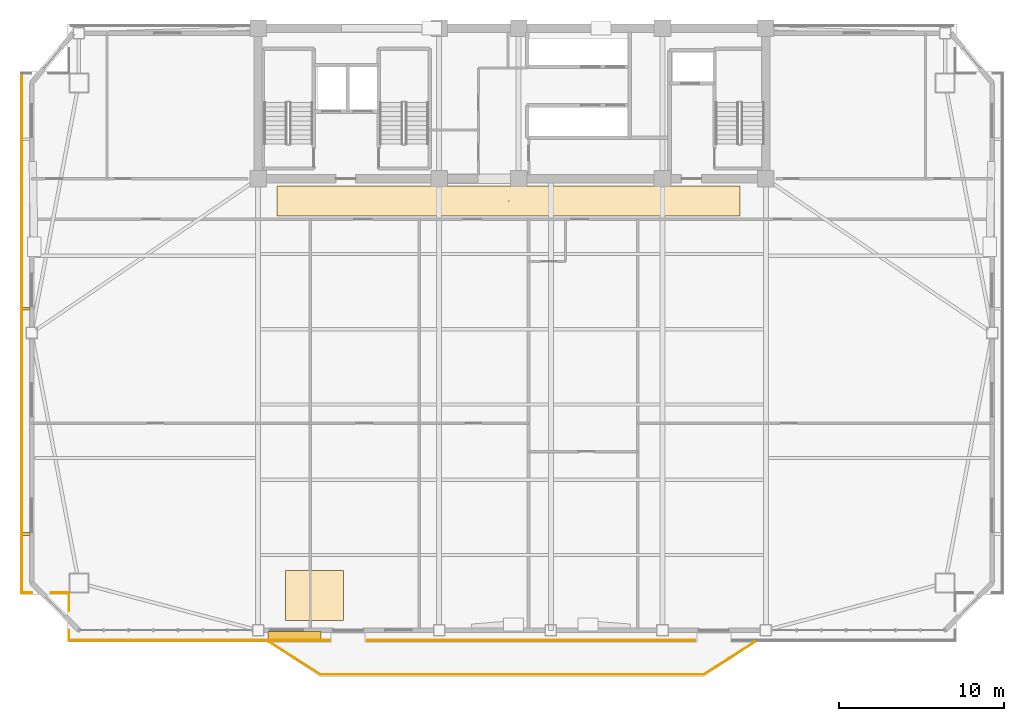
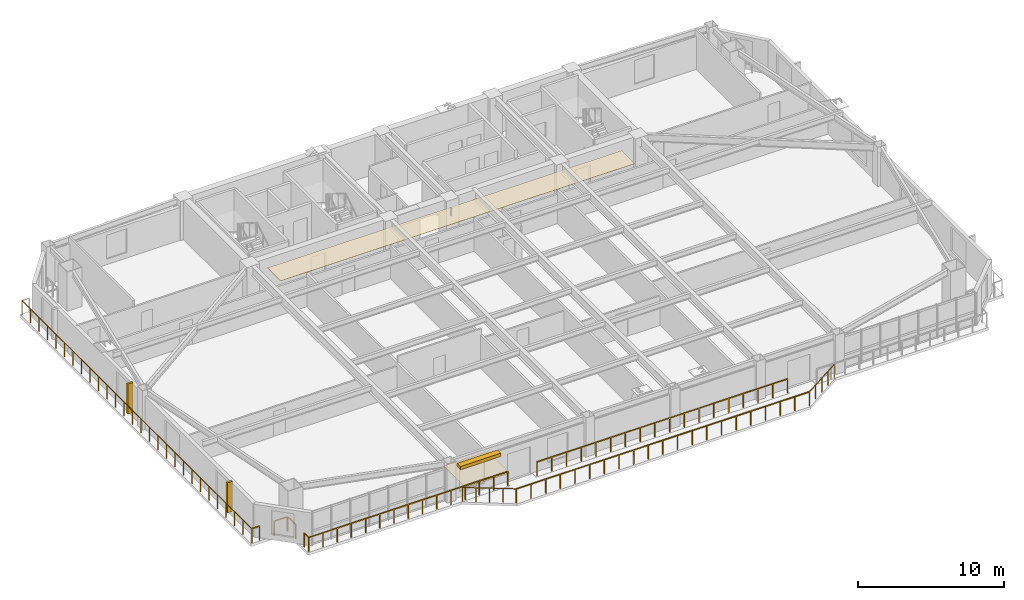
# One storey, part 12 of 15: 10 railings, 3 shading devices, 2 coverings.
"""IFC4 building model written with IfcOpenShell, lengths in metres."""

from ifc_helpers import new_model, si_unit, direction, frame, origin, origin_2d, place, context, subcontext, project, spatial, polyline, rectangle, outline, extrude, source, transform, mapped, material, layer, layer_set, type_object, element, save


model = new_model("IFC4")

# Units and contexts
model_context = context("Model", 3, precision=1e-05, world=origin(), true_north=direction((0.0, 1.0)))
body_context = subcontext(model_context, "Body", "Model", "MODEL_VIEW")
ifc_project = project(units=[si_unit("LENGTHUNIT", "METRE"), si_unit("AREAUNIT", "SQUARE_METRE"), si_unit("VOLUMEUNIT", "CUBIC_METRE"), si_unit("PLANEANGLEUNIT", "RADIAN"), si_unit("MASSUNIT", "GRAM", prefix="KILO")], contexts=[model_context])

# Site, building, storey
site_placement = place(None, origin())
site = spatial("IfcSite", under=ifc_project, at=site_placement, CompositionType="ELEMENT")
building_placement = place(site_placement, origin())
building = spatial("IfcBuilding", under=site, at=building_placement, Name="Giltprow Tower", CompositionType="ELEMENT")
storey_placement = place(building_placement, frame((0.0, 0.0, 184.199951171875)))
storey = spatial("IfcBuildingStorey", under=building, at=storey_placement, Name="L46", CompositionType="ELEMENT", Elevation=184.199951171875)

# Coverings
ifc_material_1 = material(Name="Painted gypsum board", Category="gypsum")
ifc_layer_1 = layer(ifc_material_1, 0.030029296875, Name="Painted gypsum board")
ifc_layer_set_1 = layer_set([ifc_layer_1], Name="Painted gypsum board")
covering_type_1 = type_object("IfcCoveringType", Name="COV-CLG-GYPSUM", PredefinedType="CEILING", material=ifc_layer_set_1)
covering_1_placement = place(storey_placement, frame((0.0, 0.0, 2.6201171875)))
element("IfcCovering", 1, at=covering_1_placement, inside=storey, type_object=covering_type_1, Name="L46 Hotel Corridor Gypsum Ceiling", PredefinedType="CEILING", context=body_context, shape_type="SweptSolid", body=[
    extrude(outline(polyline([(21.0, 35.199951171875), (49.0, 35.199951171875), (49.0, 37.0), (21.0, 37.0), (21.0, 35.199951171875)])), origin(), (0.0, 0.0, 1.0), 0.030029296875),
])
ifc_material_2 = material(Name="Engineered oak", Category="wood")
ifc_layer_2 = layer(ifc_material_2, 0.02490234375, Name="Engineered oak")
ifc_layer_set_2 = layer_set([ifc_layer_2], Name="Engineered oak")
covering_type_2 = type_object("IfcCoveringType", Name="COV-FLR-TIMBER", PredefinedType="FLOORING", material=ifc_layer_set_2)
covering_2_placement = place(storey_placement, origin())
element("IfcCovering", 2, at=covering_2_placement, inside=storey, type_object=covering_type_2, Name="L46 Engineered Oak Guestroom Flooring", PredefinedType="FLOORING", context=body_context, shape_type="SweptSolid", body=[
    extrude(outline(polyline([(21.5, 10.75390625), (25.0, 10.75390625), (25.0, 13.75390625), (21.5, 13.75390625), (21.5, 10.75390625)])), origin(), (0.0, 0.0, 1.0), 0.025146484375),
])

# Railings
ifc_material_3 = material(Name="Anodized bronze", Category="metal")
railing_type = type_object("IfcRailingType", Name="RAIL-BALC-GUARD-1200", PredefinedType="BALUSTRADE", material=ifc_material_3)
railing_1_placement = place(storey_placement, frame((20.52001953125, 9.4541015625, 0.0)))
element("IfcRailing", 3, at=railing_1_placement, inside=storey, type_object=railing_type, Name="L46 Waterfront Balcony Balustrade Seg 1", PredefinedType="BALUSTRADE", context=body_context, shape_type="SweptSolid", body=[
    extrude(rectangle(XDim=0.048095703125, YDim=0.048095703125, at=origin_2d()), frame((0.0, 0.0, 1.17578125), z_axis=(0.84277487735, -0.538266203757, 0.0), x_axis=(0.538266203757, 0.84277487735, 0.0)), (0.0, 0.0, 1.0), 3.678466796875),
    extrude(rectangle(XDim=0.0419921875, YDim=0.0419921875, at=origin_2d()), origin(), (0.0, 0.0, 1.0), 1.15185546875),
    extrude(rectangle(XDim=0.0419921875, YDim=0.0419921875, at=origin_2d()), frame((0.77490234375, -0.4951171875, 0.0)), (0.0, 0.0, 1.0), 1.15185546875),
    extrude(rectangle(XDim=0.0419921875, YDim=0.0419921875, at=origin_2d()), frame((1.550048828125, -0.989990234375, 0.0)), (0.0, 0.0, 1.0), 1.15185546875),
    extrude(rectangle(XDim=0.0419921875, YDim=0.0419921875, at=origin_2d()), frame((2.3251953125, -1.48486328125, 0.0)), (0.0, 0.0, 1.0), 1.15185546875),
    extrude(rectangle(XDim=0.0419921875, YDim=0.0419921875, at=origin_2d()), frame((3.10009765625, -1.97998046875, 0.0)), (0.0, 0.0, 1.0), 1.15185546875),
])
railing_2_placement = place(storey_placement, frame((23.6201171875, 7.47412109375, 0.0)))
element("IfcRailing", 4, at=railing_2_placement, inside=storey, type_object=railing_type, Name="L46 Waterfront Balcony Balustrade Seg 2", PredefinedType="BALUSTRADE", context=body_context, shape_type="SweptSolid", body=[
    extrude(rectangle(XDim=0.048095703125, YDim=0.048095703125, at=origin_2d()), frame((0.0, 0.0, 1.17578125), z_axis=(1.0, 0.0, 0.0), x_axis=(0.0, 1.0, 0.0)), (0.0, 0.0, 1.0), 23.159912109375),
    extrude(rectangle(XDim=0.0419921875, YDim=0.0419921875, at=origin_2d()), origin(), (0.0, 0.0, 1.0), 1.15185546875),
    extrude(rectangle(XDim=0.0419921875, YDim=0.0419921875, at=origin_2d()), frame((1.157958984375, 0.0, 0.0)), (0.0, 0.0, 1.0), 1.15185546875),
    extrude(rectangle(XDim=0.0419921875, YDim=0.0419921875, at=origin_2d()), frame((2.31591796875, 0.0, 0.0)), (0.0, 0.0, 1.0), 1.15185546875),
    extrude(rectangle(XDim=0.0419921875, YDim=0.0419921875, at=origin_2d()), frame((3.473876953125, 0.0, 0.0)), (0.0, 0.0, 1.0), 1.15185546875),
    extrude(rectangle(XDim=0.0419921875, YDim=0.0419921875, at=origin_2d()), frame((4.632080078125, 0.0, 0.0)), (0.0, 0.0, 1.0), 1.15185546875),
    extrude(rectangle(XDim=0.0419921875, YDim=0.0419921875, at=origin_2d()), frame((5.7900390625, 0.0, 0.0)), (0.0, 0.0, 1.0), 1.15185546875),
    extrude(rectangle(XDim=0.0419921875, YDim=0.0419921875, at=origin_2d()), frame((6.947998046875, 0.0, 0.0)), (0.0, 0.0, 1.0), 1.15185546875),
    extrude(rectangle(XDim=0.0419921875, YDim=0.0419921875, at=origin_2d()), frame((8.10595703125, 0.0, 0.0)), (0.0, 0.0, 1.0), 1.15185546875),
    extrude(rectangle(XDim=0.0419921875, YDim=0.0419921875, at=origin_2d()), frame((9.263916015625, 0.0, 0.0)), (0.0, 0.0, 1.0), 1.15185546875),
    extrude(rectangle(XDim=0.0419921875, YDim=0.0419921875, at=origin_2d()), frame((10.421875, 0.0, 0.0)), (0.0, 0.0, 1.0), 1.15185546875),
    extrude(rectangle(XDim=0.0419921875, YDim=0.0419921875, at=origin_2d()), frame((11.580078125, 0.0, 0.0)), (0.0, 0.0, 1.0), 1.15185546875),
    extrude(rectangle(XDim=0.0419921875, YDim=0.0419921875, at=origin_2d()), frame((12.738037109375, 0.0, 0.0)), (0.0, 0.0, 1.0), 1.15185546875),
    extrude(rectangle(XDim=0.0419921875, YDim=0.0419921875, at=origin_2d()), frame((13.89599609375, 0.0, 0.0)), (0.0, 0.0, 1.0), 1.15185546875),
    extrude(rectangle(XDim=0.0419921875, YDim=0.0419921875, at=origin_2d()), frame((15.053955078125, 0.0, 0.0)), (0.0, 0.0, 1.0), 1.15185546875),
    extrude(rectangle(XDim=0.0419921875, YDim=0.0419921875, at=origin_2d()), frame((16.2119140625, 0.0, 0.0)), (0.0, 0.0, 1.0), 1.15185546875),
    extrude(rectangle(XDim=0.0419921875, YDim=0.0419921875, at=origin_2d()), frame((17.369873046875, 0.0, 0.0)), (0.0, 0.0, 1.0), 1.15185546875),
    extrude(rectangle(XDim=0.0419921875, YDim=0.0419921875, at=origin_2d()), frame((18.52783203125, 0.0, 0.0)), (0.0, 0.0, 1.0), 1.15185546875),
    extrude(rectangle(XDim=0.0419921875, YDim=0.0419921875, at=origin_2d()), frame((19.68603515625, 0.0, 0.0)), (0.0, 0.0, 1.0), 1.15185546875),
    extrude(rectangle(XDim=0.0419921875, YDim=0.0419921875, at=origin_2d()), frame((20.843994140625, 0.0, 0.0)), (0.0, 0.0, 1.0), 1.15185546875),
    extrude(rectangle(XDim=0.0419921875, YDim=0.0419921875, at=origin_2d()), frame((22.001953125, 0.0, 0.0)), (0.0, 0.0, 1.0), 1.15185546875),
    extrude(rectangle(XDim=0.0419921875, YDim=0.0419921875, at=origin_2d()), frame((23.159912109375, 0.0, 0.0)), (0.0, 0.0, 1.0), 1.15185546875),
])
railing_3_placement = place(storey_placement, frame((46.780029296875, 7.47412109375, 0.0)))
element("IfcRailing", 5, at=railing_3_placement, inside=storey, type_object=railing_type, Name="L46 Waterfront Balcony Balustrade Seg 3", PredefinedType="BALUSTRADE", context=body_context, shape_type="SweptSolid", body=[
    extrude(rectangle(XDim=0.048095703125, YDim=0.048095703125, at=origin_2d()), frame((0.0, 0.0, 1.17578125), z_axis=(0.842755646126, 0.538296313309, 0.0), x_axis=(-0.538296313309, 0.842755646126, 0.0)), (0.0, 0.0, 1.0), 3.67822265625),
    extrude(rectangle(XDim=0.0419921875, YDim=0.0419921875, at=origin_2d()), origin(), (0.0, 0.0, 1.0), 1.15185546875),
    extrude(rectangle(XDim=0.0419921875, YDim=0.0419921875, at=origin_2d()), frame((0.77490234375, 0.4951171875, 0.0)), (0.0, 0.0, 1.0), 1.15185546875),
    extrude(rectangle(XDim=0.0419921875, YDim=0.0419921875, at=origin_2d()), frame((1.5498046875, 0.989990234375, 0.0)), (0.0, 0.0, 1.0), 1.15185546875),
    extrude(rectangle(XDim=0.0419921875, YDim=0.0419921875, at=origin_2d()), frame((2.324951171875, 1.48486328125, 0.0)), (0.0, 0.0, 1.0), 1.15185546875),
    extrude(rectangle(XDim=0.0419921875, YDim=0.0419921875, at=origin_2d()), frame((3.099853515625, 1.97998046875, 0.0)), (0.0, 0.0, 1.0), 1.15185546875),
])
railing_4_placement = place(storey_placement, frame((8.4150390625, 9.553955078125, 0.0)))
element("IfcRailing", 6, at=railing_4_placement, inside=storey, type_object=railing_type, Name="L46 Corner Apron Edge Balustrade 1", PredefinedType="BALUSTRADE", context=body_context, shape_type="SweptSolid", body=[
    extrude(rectangle(XDim=0.048095703125, YDim=0.048095703125, at=origin_2d()), frame((0.0, 0.0, 1.17578125), z_axis=(0.0, 1.0, 0.0), x_axis=(-1.0, 0.0, 0.0)), (0.0, 0.0, 1.0), 0.6201171875),
    extrude(rectangle(XDim=0.0419921875, YDim=0.0419921875, at=origin_2d()), origin(), (0.0, 0.0, 1.0), 1.15185546875),
    extrude(rectangle(XDim=0.0419921875, YDim=0.0419921875, at=origin_2d()), frame((0.0, 0.6201171875, 0.0)), (0.0, 0.0, 1.0), 1.15185546875),
])
railing_5_placement = place(storey_placement, frame((8.4150390625, 11.333984375, 0.0)))
element("IfcRailing", 7, at=railing_5_placement, inside=storey, type_object=railing_type, Name="L46 Corner Apron Edge Balustrade 2", PredefinedType="BALUSTRADE", context=body_context, shape_type="SweptSolid", body=[
    extrude(rectangle(XDim=0.048095703125, YDim=0.048095703125, at=origin_2d()), frame((0.0, 0.0, 1.17578125), z_axis=(0.0, 1.0, 0.0), x_axis=(-1.0, 0.0, 0.0)), (0.0, 0.0, 1.0), 1.0458984375),
    extrude(rectangle(XDim=0.0419921875, YDim=0.0419921875, at=origin_2d()), origin(), (0.0, 0.0, 1.0), 1.15185546875),
    extrude(rectangle(XDim=0.0419921875, YDim=0.0419921875, at=origin_2d()), frame((0.0, 1.0458984375, 0.0)), (0.0, 0.0, 1.0), 1.15185546875),
])
railing_6_placement = place(storey_placement, frame((8.3798828125, 12.4150390625, 0.0)))
element("IfcRailing", 8, at=railing_6_placement, inside=storey, type_object=railing_type, Name="L46 Corner Apron Edge Balustrade 3", PredefinedType="BALUSTRADE", context=body_context, shape_type="SweptSolid", body=[
    extrude(rectangle(XDim=0.048095703125, YDim=0.048095703125, at=origin_2d()), frame((0.0, 0.0, 1.17578125), z_axis=(-1.0, 0.0, 0.0), x_axis=(0.0, -1.0, 0.0)), (0.0, 0.0, 1.0), 1.0458984375),
    extrude(rectangle(XDim=0.0419921875, YDim=0.0419921875, at=origin_2d()), origin(), (0.0, 0.0, 1.0), 1.15185546875),
    extrude(rectangle(XDim=0.0419921875, YDim=0.0419921875, at=origin_2d()), frame((-1.0458984375, 0.0, 0.0)), (0.0, 0.0, 1.0), 1.15185546875),
])
railing_7_placement = place(storey_placement, frame((6.174072265625, 12.4150390625, 0.0)))
element("IfcRailing", 9, at=railing_7_placement, inside=storey, type_object=railing_type, Name="L46 Corner Apron Edge Balustrade 4", PredefinedType="BALUSTRADE", context=body_context, shape_type="SweptSolid", body=[
    extrude(rectangle(XDim=0.048095703125, YDim=0.048095703125, at=origin_2d()), frame((0.0, 0.0, 1.17578125), z_axis=(-1.0, 0.0, 0.0), x_axis=(0.0, -1.0, 0.0)), (0.0, 0.0, 1.0), 0.6201171875),
    extrude(rectangle(XDim=0.0419921875, YDim=0.0419921875, at=origin_2d()), origin(), (0.0, 0.0, 1.0), 1.15185546875),
    extrude(rectangle(XDim=0.0419921875, YDim=0.0419921875, at=origin_2d()), frame((-0.6201171875, 0.0, 0.0)), (0.0, 0.0, 1.0), 1.15185546875),
])
railing_8_placement = place(storey_placement, frame((5.553955078125, 12.4150390625, 0.0)))
element("IfcRailing", 10, at=railing_8_placement, inside=storey, type_object=railing_type, Name="L46 Corner Apron Edge Balustrade 5", PredefinedType="BALUSTRADE", context=body_context, shape_type="SweptSolid", body=[
    extrude(rectangle(XDim=0.048095703125, YDim=0.048095703125, at=origin_2d()), frame((0.0, 0.0, 1.17578125), z_axis=(0.0, 1.0, 0.0), x_axis=(-1.0, 0.0, 0.0)), (0.0, 0.0, 1.0), 31.424072265625),
    extrude(rectangle(XDim=0.0419921875, YDim=0.0419921875, at=origin_2d()), origin(), (0.0, 0.0, 1.0), 1.15185546875),
    extrude(rectangle(XDim=0.0419921875, YDim=0.0419921875, at=origin_2d()), frame((0.0, 1.163818359375, 0.0)), (0.0, 0.0, 1.0), 1.15185546875),
    extrude(rectangle(XDim=0.0419921875, YDim=0.0419921875, at=origin_2d()), frame((0.0, 2.32763671875, 0.0)), (0.0, 0.0, 1.0), 1.15185546875),
    extrude(rectangle(XDim=0.0419921875, YDim=0.0419921875, at=origin_2d()), frame((0.0, 3.491455078125, 0.0)), (0.0, 0.0, 1.0), 1.15185546875),
    extrude(rectangle(XDim=0.0419921875, YDim=0.0419921875, at=origin_2d()), frame((0.0, 4.655517578125, 0.0)), (0.0, 0.0, 1.0), 1.15185546875),
    extrude(rectangle(XDim=0.0419921875, YDim=0.0419921875, at=origin_2d()), frame((0.0, 5.8193359375, 0.0)), (0.0, 0.0, 1.0), 1.15185546875),
    extrude(rectangle(XDim=0.0419921875, YDim=0.0419921875, at=origin_2d()), frame((0.0, 6.983154296875, 0.0)), (0.0, 0.0, 1.0), 1.15185546875),
    extrude(rectangle(XDim=0.0419921875, YDim=0.0419921875, at=origin_2d()), frame((0.0, 8.14697265625, 0.0)), (0.0, 0.0, 1.0), 1.15185546875),
    extrude(rectangle(XDim=0.0419921875, YDim=0.0419921875, at=origin_2d()), frame((0.0, 9.310791015625, 0.0)), (0.0, 0.0, 1.0), 1.15185546875),
    extrude(rectangle(XDim=0.0419921875, YDim=0.0419921875, at=origin_2d()), frame((0.0, 10.474609375, 0.0)), (0.0, 0.0, 1.0), 1.15185546875),
    extrude(rectangle(XDim=0.0419921875, YDim=0.0419921875, at=origin_2d()), frame((0.0, 11.638427734375, 0.0)), (0.0, 0.0, 1.0), 1.15185546875),
    extrude(rectangle(XDim=0.0419921875, YDim=0.0419921875, at=origin_2d()), frame((0.0, 12.802490234375, 0.0)), (0.0, 0.0, 1.0), 1.15185546875),
    extrude(rectangle(XDim=0.0419921875, YDim=0.0419921875, at=origin_2d()), frame((0.0, 13.96630859375, 0.0)), (0.0, 0.0, 1.0), 1.15185546875),
    extrude(rectangle(XDim=0.0419921875, YDim=0.0419921875, at=origin_2d()), frame((0.0, 15.130126953125, 0.0)), (0.0, 0.0, 1.0), 1.15185546875),
    extrude(rectangle(XDim=0.0419921875, YDim=0.0419921875, at=origin_2d()), frame((0.0, 16.2939453125, 0.0)), (0.0, 0.0, 1.0), 1.15185546875),
    extrude(rectangle(XDim=0.0419921875, YDim=0.0419921875, at=origin_2d()), frame((0.0, 17.457763671875, 0.0)), (0.0, 0.0, 1.0), 1.15185546875),
    extrude(rectangle(XDim=0.0419921875, YDim=0.0419921875, at=origin_2d()), frame((0.0, 18.62158203125, 0.0)), (0.0, 0.0, 1.0), 1.15185546875),
    extrude(rectangle(XDim=0.0419921875, YDim=0.0419921875, at=origin_2d()), frame((0.0, 19.78564453125, 0.0)), (0.0, 0.0, 1.0), 1.15185546875),
    extrude(rectangle(XDim=0.0419921875, YDim=0.0419921875, at=origin_2d()), frame((0.0, 20.949462890625, 0.0)), (0.0, 0.0, 1.0), 1.15185546875),
    extrude(rectangle(XDim=0.0419921875, YDim=0.0419921875, at=origin_2d()), frame((0.0, 22.11328125, 0.0)), (0.0, 0.0, 1.0), 1.15185546875),
    extrude(rectangle(XDim=0.0419921875, YDim=0.0419921875, at=origin_2d()), frame((0.0, 23.277099609375, 0.0)), (0.0, 0.0, 1.0), 1.15185546875),
    extrude(rectangle(XDim=0.0419921875, YDim=0.0419921875, at=origin_2d()), frame((0.0, 24.44091796875, 0.0)), (0.0, 0.0, 1.0), 1.15185546875),
    extrude(rectangle(XDim=0.0419921875, YDim=0.0419921875, at=origin_2d()), frame((0.0, 25.604736328125, 0.0)), (0.0, 0.0, 1.0), 1.15185546875),
    extrude(rectangle(XDim=0.0419921875, YDim=0.0419921875, at=origin_2d()), frame((0.0, 26.7685546875, 0.0)), (0.0, 0.0, 1.0), 1.15185546875),
    extrude(rectangle(XDim=0.0419921875, YDim=0.0419921875, at=origin_2d()), frame((0.0, 27.9326171875, 0.0)), (0.0, 0.0, 1.0), 1.15185546875),
    extrude(rectangle(XDim=0.0419921875, YDim=0.0419921875, at=origin_2d()), frame((0.0, 29.096435546875, 0.0)), (0.0, 0.0, 1.0), 1.15185546875),
    extrude(rectangle(XDim=0.0419921875, YDim=0.0419921875, at=origin_2d()), frame((0.0, 30.26025390625, 0.0)), (0.0, 0.0, 1.0), 1.15185546875),
    extrude(rectangle(XDim=0.0419921875, YDim=0.0419921875, at=origin_2d()), frame((0.0, 31.424072265625, 0.0)), (0.0, 0.0, 1.0), 1.15185546875),
])
railing_9_placement = place(storey_placement, frame((46.25, 9.553955078125, 0.0)))
element("IfcRailing", 11, at=railing_9_placement, inside=storey, type_object=railing_type, Name="L46 Corner Apron Edge Balustrade 20", PredefinedType="BALUSTRADE", context=body_context, shape_type="SweptSolid", body=[
    extrude(rectangle(XDim=0.048095703125, YDim=0.048095703125, at=origin_2d()), frame((0.0, 0.0, 1.17578125), z_axis=(-1.0, 0.0, 0.0), x_axis=(0.0, -1.0, 0.0)), (0.0, 0.0, 1.0), 19.800048828125),
    extrude(rectangle(XDim=0.0419921875, YDim=0.0419921875, at=origin_2d()), origin(), (0.0, 0.0, 1.0), 1.15185546875),
    extrude(rectangle(XDim=0.0419921875, YDim=0.0419921875, at=origin_2d()), frame((-1.164794921875, 0.0, 0.0)), (0.0, 0.0, 1.0), 1.15185546875),
    extrude(rectangle(XDim=0.0419921875, YDim=0.0419921875, at=origin_2d()), frame((-2.329345703125, 0.0, 0.0)), (0.0, 0.0, 1.0), 1.15185546875),
    extrude(rectangle(XDim=0.0419921875, YDim=0.0419921875, at=origin_2d()), frame((-3.494140625, 0.0, 0.0)), (0.0, 0.0, 1.0), 1.15185546875),
    extrude(rectangle(XDim=0.0419921875, YDim=0.0419921875, at=origin_2d()), frame((-4.658935546875, 0.0, 0.0)), (0.0, 0.0, 1.0), 1.15185546875),
    extrude(rectangle(XDim=0.0419921875, YDim=0.0419921875, at=origin_2d()), frame((-5.823486328125, 0.0, 0.0)), (0.0, 0.0, 1.0), 1.15185546875),
    extrude(rectangle(XDim=0.0419921875, YDim=0.0419921875, at=origin_2d()), frame((-6.98828125, 0.0, 0.0)), (0.0, 0.0, 1.0), 1.15185546875),
    extrude(rectangle(XDim=0.0419921875, YDim=0.0419921875, at=origin_2d()), frame((-8.153076171875, 0.0, 0.0)), (0.0, 0.0, 1.0), 1.15185546875),
    extrude(rectangle(XDim=0.0419921875, YDim=0.0419921875, at=origin_2d()), frame((-9.317626953125, 0.0, 0.0)), (0.0, 0.0, 1.0), 1.15185546875),
    extrude(rectangle(XDim=0.0419921875, YDim=0.0419921875, at=origin_2d()), frame((-10.482421875, 0.0, 0.0)), (0.0, 0.0, 1.0), 1.15185546875),
    extrude(rectangle(XDim=0.0419921875, YDim=0.0419921875, at=origin_2d()), frame((-11.64697265625, 0.0, 0.0)), (0.0, 0.0, 1.0), 1.15185546875),
    extrude(rectangle(XDim=0.0419921875, YDim=0.0419921875, at=origin_2d()), frame((-12.811767578125, 0.0, 0.0)), (0.0, 0.0, 1.0), 1.15185546875),
    extrude(rectangle(XDim=0.0419921875, YDim=0.0419921875, at=origin_2d()), frame((-13.9765625, 0.0, 0.0)), (0.0, 0.0, 1.0), 1.15185546875),
    extrude(rectangle(XDim=0.0419921875, YDim=0.0419921875, at=origin_2d()), frame((-15.14111328125, 0.0, 0.0)), (0.0, 0.0, 1.0), 1.15185546875),
    extrude(rectangle(XDim=0.0419921875, YDim=0.0419921875, at=origin_2d()), frame((-16.305908203125, 0.0, 0.0)), (0.0, 0.0, 1.0), 1.15185546875),
    extrude(rectangle(XDim=0.0419921875, YDim=0.0419921875, at=origin_2d()), frame((-17.470703125, 0.0, 0.0)), (0.0, 0.0, 1.0), 1.15185546875),
    extrude(rectangle(XDim=0.0419921875, YDim=0.0419921875, at=origin_2d()), frame((-18.63525390625, 0.0, 0.0)), (0.0, 0.0, 1.0), 1.15185546875),
    extrude(rectangle(XDim=0.0419921875, YDim=0.0419921875, at=origin_2d()), frame((-19.800048828125, 0.0, 0.0)), (0.0, 0.0, 1.0), 1.15185546875),
])
railing_10_placement = place(storey_placement, frame((24.14990234375, 9.553955078125, 0.0)))
element("IfcRailing", 12, at=railing_10_placement, inside=storey, type_object=railing_type, Name="L46 Corner Apron Edge Balustrade 21", PredefinedType="BALUSTRADE", context=body_context, shape_type="SweptSolid", body=[
    extrude(rectangle(XDim=0.048095703125, YDim=0.048095703125, at=origin_2d()), frame((0.0, 0.0, 1.17578125), z_axis=(-1.0, 0.0, 0.0), x_axis=(0.0, -1.0, 0.0)), (0.0, 0.0, 1.0), 15.73486328125),
    extrude(rectangle(XDim=0.0419921875, YDim=0.0419921875, at=origin_2d()), origin(), (0.0, 0.0, 1.0), 1.15185546875),
    extrude(rectangle(XDim=0.0419921875, YDim=0.0419921875, at=origin_2d()), frame((-1.1240234375, 0.0, 0.0)), (0.0, 0.0, 1.0), 1.15185546875),
    extrude(rectangle(XDim=0.0419921875, YDim=0.0419921875, at=origin_2d()), frame((-2.247802734375, 0.0, 0.0)), (0.0, 0.0, 1.0), 1.15185546875),
    extrude(rectangle(XDim=0.0419921875, YDim=0.0419921875, at=origin_2d()), frame((-3.371826171875, 0.0, 0.0)), (0.0, 0.0, 1.0), 1.15185546875),
    extrude(rectangle(XDim=0.0419921875, YDim=0.0419921875, at=origin_2d()), frame((-4.49560546875, 0.0, 0.0)), (0.0, 0.0, 1.0), 1.15185546875),
    extrude(rectangle(XDim=0.0419921875, YDim=0.0419921875, at=origin_2d()), frame((-5.61962890625, 0.0, 0.0)), (0.0, 0.0, 1.0), 1.15185546875),
    extrude(rectangle(XDim=0.0419921875, YDim=0.0419921875, at=origin_2d()), frame((-6.743408203125, 0.0, 0.0)), (0.0, 0.0, 1.0), 1.15185546875),
    extrude(rectangle(XDim=0.0419921875, YDim=0.0419921875, at=origin_2d()), frame((-7.867431640625, 0.0, 0.0)), (0.0, 0.0, 1.0), 1.15185546875),
    extrude(rectangle(XDim=0.0419921875, YDim=0.0419921875, at=origin_2d()), frame((-8.991455078125, 0.0, 0.0)), (0.0, 0.0, 1.0), 1.15185546875),
    extrude(rectangle(XDim=0.0419921875, YDim=0.0419921875, at=origin_2d()), frame((-10.115234375, 0.0, 0.0)), (0.0, 0.0, 1.0), 1.15185546875),
    extrude(rectangle(XDim=0.0419921875, YDim=0.0419921875, at=origin_2d()), frame((-11.2392578125, 0.0, 0.0)), (0.0, 0.0, 1.0), 1.15185546875),
    extrude(rectangle(XDim=0.0419921875, YDim=0.0419921875, at=origin_2d()), frame((-12.363037109375, 0.0, 0.0)), (0.0, 0.0, 1.0), 1.15185546875),
    extrude(rectangle(XDim=0.0419921875, YDim=0.0419921875, at=origin_2d()), frame((-13.487060546875, 0.0, 0.0)), (0.0, 0.0, 1.0), 1.15185546875),
    extrude(rectangle(XDim=0.0419921875, YDim=0.0419921875, at=origin_2d()), frame((-14.61083984375, 0.0, 0.0)), (0.0, 0.0, 1.0), 1.15185546875),
    extrude(rectangle(XDim=0.0419921875, YDim=0.0419921875, at=origin_2d()), frame((-15.73486328125, 0.0, 0.0)), (0.0, 0.0, 1.0), 1.15185546875),
])

# Shading devices
shading_device_type_1 = type_object("IfcShadingDeviceType", Name="SHD-FIN-420", PredefinedType="USERDEFINED", material=ifc_material_3)
shared_shape_1 = source(origin(), body_context, "Body", "SweptSolid", [
    extrude(rectangle(XDim=0.419921875, YDim=0.159912109375, at=origin_2d()), origin(), (0.0, 0.0, 1.0), 2.5),
])
for number, where, z_axis, x_axis, name in (
    (13, (5.85400390625, 15.972900390625, 0.35009765625), (0.0, 0.0, 1.0), (1.0, 0.0, 0.0), "L46 W Bronze Vertical Fin 1-1"),
    (14, (5.85400390625, 29.587890625, 0.35009765625), (0.0, 0.0, 1.0), (1.0, 0.0, 0.0), "L46 W Bronze Vertical Fin 2-1"),
):
    element("IfcShadingDevice", number, at=place(storey_placement, frame(where, z_axis=z_axis, x_axis=x_axis)), inside=storey, type_object=shading_device_type_1, Name=name, ObjectType="FIN", PredefinedType="USERDEFINED", context=body_context, shape_type="MappedRepresentation", body=[
        mapped(shared_shape_1, transform((0.0, 0.0, 0.0), x_axis=(1.0, 0.0, 0.0), y_axis=(0.0, 1.0, 0.0), z_axis=(0.0, 0.0, 1.0), scale=1.0)),
    ])
shading_device_type_2 = type_object("IfcShadingDeviceType", Name="SHD-LOUVRE-320", PredefinedType="JALOUSIE", material=ifc_material_3)
shared_shape_2 = source(origin(), body_context, "Body", "SweptSolid", [
    extrude(rectangle(XDim=3.199951171875, YDim=0.449951171875, at=origin_2d()), origin(), (0.0, 0.0, 1.0), 0.280029296875),
])
shading_device_placement = place(storey_placement, frame((22.050048828125, 9.85400390625, 2.56005859375), z_axis=(0.0, 0.0, 1.0), x_axis=(1.0, 0.0, 0.0)))
element("IfcShadingDevice", 15, at=shading_device_placement, inside=storey, type_object=shading_device_type_2, Name="L46 Bronze Sunshade Louvre S-2", PredefinedType="JALOUSIE", context=body_context, shape_type="MappedRepresentation", body=[
    mapped(shared_shape_2, transform((0.0, 0.0, 0.0), x_axis=(1.0, 0.0, 0.0), y_axis=(0.0, 1.0, 0.0), z_axis=(0.0, 0.0, 1.0), scale=1.0)),
])

save(model, "model.ifc")
